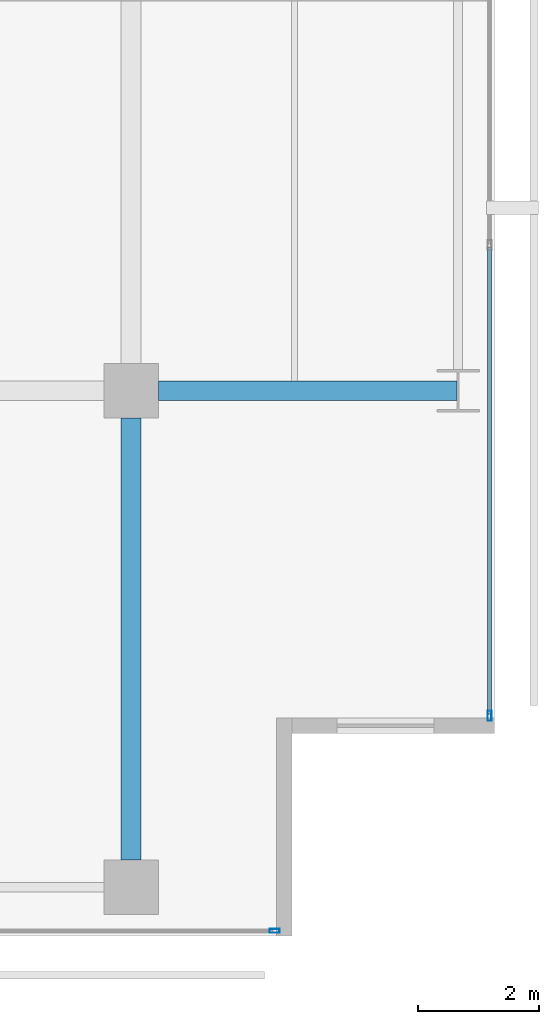
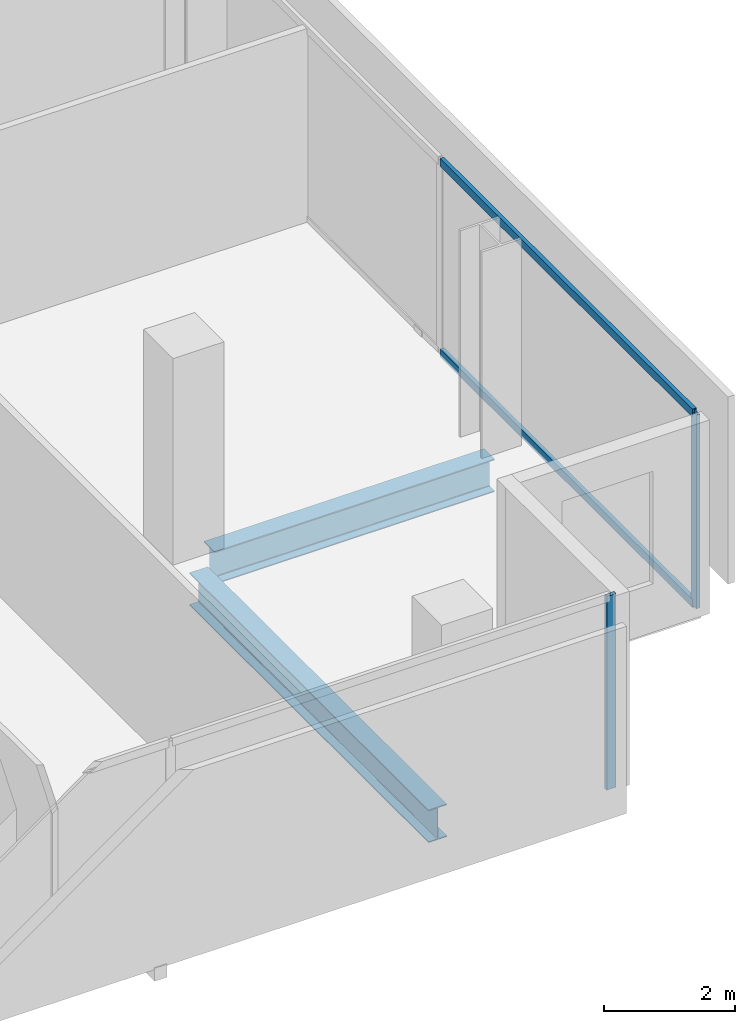
# One storey, part 16 of 40: 4 members, 2 beams, 2 elements without a shape of their own.
"""IFC4 building model written with IfcOpenShell, lengths in metres."""

from ifc_helpers import new_model, si_unit, direction, frame, origin, origin_2d, place, context, subcontext, project, spatial, hollow_rectangle, i_section, extrude, material, layer, layer_set, material_profile, profile_set, type_object, element, aggregate, save


model = new_model("IFC4")

# Units and contexts
model_context = context("Model", 3, precision=1e-05, world=origin(), true_north=direction((0.0, 1.0)))
body_context = subcontext(model_context, "Body", "Model", "MODEL_VIEW")
ifc_project = project(units=[si_unit("LENGTHUNIT", "METRE"), si_unit("AREAUNIT", "SQUARE_METRE"), si_unit("VOLUMEUNIT", "CUBIC_METRE"), si_unit("PLANEANGLEUNIT", "RADIAN"), si_unit("MASSUNIT", "GRAM", prefix="KILO")], contexts=[model_context])

# Site, building, storey
site_placement = place(None, origin())
site = spatial("IfcSite", under=ifc_project, at=site_placement, CompositionType="ELEMENT")
building_placement = place(site_placement, origin())
building = spatial("IfcBuilding", under=site, at=building_placement, Name="Maruvema Waterfront Hotel and Observation Tower", CompositionType="ELEMENT")
storey_placement = place(building_placement, frame((0.0, 0.0, 77.0)))
storey = spatial("IfcBuildingStorey", under=building, at=storey_placement, Name="L18", CompositionType="ELEMENT", Elevation=77.0)

# Curtain wall, members
ifc_material_1 = material(Name="Anodised bronze aluminium and solar-control low-E IGU", Category="aluminium")
ifc_layer = layer(ifc_material_1, 0.159912109375, Name="Zone 1 Bronze Inner Thermal Curtain Wall System CW-02")
ifc_layer_set = layer_set([ifc_layer], Name="Anodised bronze aluminium and solar-control low-E IGU")
curtain_wall_type = type_object("IfcCurtainWallType", Name="Zone 1 Bronze Inner Thermal Curtain Wall System CW-02", PredefinedType="USERDEFINED", material=ifc_layer_set)
curtain_wall_1_placement = place(storey_placement, origin())
curtain_wall_1 = element("IfcCurtainWall", 1, at=curtain_wall_1_placement, inside=storey, type_object=curtain_wall_type, Name="L18 Curtain Wall CW-L18-E", ObjectType="UNITISED CURTAIN WALL", PredefinedType="USERDEFINED")
ifc_material_2 = material(Name="Anodised architectural bronze aluminium", Category="aluminium")
ifc_material_profile_1 = material_profile(ifc_material_2, hollow_rectangle(XDim=0.070068359375, YDim=0.14990234375, WallThickness=0.00390625, at=origin_2d()), Name="ALU-T70x150")
ifc_profile_set_1 = profile_set([ifc_material_profile_1], Name="Anodised architectural bronze aluminium")
member_type_1 = type_object("IfcMemberType", Name="Curtain Wall Horizontal Transom ALU-T70x150", PredefinedType="USERDEFINED", material=ifc_profile_set_1)
member_1_placement = place(storey_placement, frame((64.719970703125, 3.659912109375, 0.030029296875), z_axis=(0.0, 1.0, 0.0), x_axis=(-1.0, 0.0, 0.0)))
member_1 = element("IfcMember", 2, at=member_1_placement, type_object=member_type_1, Name="CW-02 transom 1.1", ObjectType="TRANSOM", PredefinedType="USERDEFINED", context=body_context, shape_type="SweptSolid", body=[
    extrude(hollow_rectangle(XDim=0.070068359375, YDim=0.14990234375, WallThickness=0.00390625, at=origin_2d()), origin(), (0.0, 0.0, 1.0), 7.710205078125),
])
member_2_placement = place(storey_placement, frame((64.719970703125, 3.659912109375, 3.580078125), z_axis=(0.0, 1.0, 0.0), x_axis=(-1.0, 0.0, 0.0)))
member_2 = element("IfcMember", 3, at=member_2_placement, type_object=member_type_1, Name="CW-02 transom 1.2", ObjectType="TRANSOM", PredefinedType="USERDEFINED", context=body_context, shape_type="SweptSolid", body=[
    extrude(hollow_rectangle(XDim=0.070068359375, YDim=0.14990234375, WallThickness=0.00390625, at=origin_2d()), origin(), (0.0, 0.0, 1.0), 7.710205078125),
])

# Curtain wall, member
curtain_wall_2_placement = place(storey_placement, origin())
curtain_wall_2 = element("IfcCurtainWall", 4, at=curtain_wall_2_placement, inside=storey, type_object=curtain_wall_type, Name="L18 Curtain Wall CW-L18-S", ObjectType="UNITISED CURTAIN WALL", PredefinedType="USERDEFINED")
ifc_material_3 = material(Name="Anodised architectural bronze aluminium", Category="aluminium")
ifc_material_profile_2 = material_profile(ifc_material_3, hollow_rectangle(XDim=0.06494140625, YDim=0.1650390625, WallThickness=0.00390625, at=origin_2d()), Name="ALU-M65x165")
ifc_profile_set_2 = profile_set([ifc_material_profile_2], Name="Anodised architectural bronze aluminium")
member_type_2 = type_object("IfcMemberType", Name="Curtain Wall Primary Mullion ALU-M65x165", PredefinedType="MULLION", material=ifc_profile_set_2)
member_3_placement = place(storey_placement, frame((61.169921875, 0.080078125, 0.0), z_axis=(0.0, 0.0, 1.0), x_axis=(0.0, 1.0, 0.0)))
member_3 = element("IfcMember", 5, at=member_3_placement, type_object=member_type_2, Name="CW-02 mullion 7", PredefinedType="MULLION", context=body_context, shape_type="SweptSolid", body=[
    extrude(hollow_rectangle(XDim=0.06494140625, YDim=0.1650390625, WallThickness=0.00390625, at=origin_2d()), origin(), (0.0, 0.0, 1.0), 3.610107421875),
])
aggregate(curtain_wall_2, [member_3])

# Member
member_4_placement = place(storey_placement, frame((64.719970703125, 3.6298828125, 0.0), z_axis=(0.0, 0.0, 1.0), x_axis=(-1.0, 0.0, 0.0)))
member_4 = element("IfcMember", 6, at=member_4_placement, type_object=member_type_2, Name="CW-02 mullion 1", PredefinedType="MULLION", context=body_context, shape_type="SweptSolid", body=[
    extrude(hollow_rectangle(XDim=0.06494140625, YDim=0.1650390625, WallThickness=0.00390625, at=origin_2d()), origin(), (0.0, 0.0, 1.0), 3.610107421875),
])

aggregate(curtain_wall_1, [member_4, member_1, member_2])

# Beams
ifc_material_4 = material(Name="Steel ASTM A572 Grade 50", Category="steel")
ifc_material_profile_3 = material_profile(ifc_material_4, i_section(OverallWidth=0.323974609375, OverallDepth=0.611083984375, WebThickness=0.0126953125, FlangeThickness=0.01904296875, FilletRadius=0.01806640625, at=origin_2d()), Name="W610x155.0")
ifc_profile_set_3 = profile_set([ifc_material_profile_3], Name="Steel ASTM A572 Grade 50")
beam_type = type_object("IfcBeamType", Name="Primary Floor Girder W610x155.0", PredefinedType="BEAM", material=ifc_profile_set_3)
beam_1_placement = place(storey_placement, frame((59.25, 9.0, -0.54541015625), z_axis=(1.0, 0.0, 0.0), x_axis=(0.0, 1.0, 0.0)))
element("IfcBeam", 7, at=beam_1_placement, inside=storey, type_object=beam_type, Name="L18 Floor Girder EW-12", PredefinedType="BEAM", context=body_context, shape_type="SweptSolid", body=[
    extrude(i_section(OverallWidth=0.323974609375, OverallDepth=0.611083984375, WebThickness=0.0126953125, FlangeThickness=0.01904296875, FilletRadius=0.01806640625, at=origin_2d()), origin(), (0.0, 0.0, 1.0), 4.93603515625),
])
beam_2_placement = place(storey_placement, frame((58.800048828125, 1.25, -0.54541015625), z_axis=(0.0, 1.0, 0.0), x_axis=(-1.0, 0.0, 0.0)))
element("IfcBeam", 8, at=beam_2_placement, inside=storey, type_object=beam_type, Name="L18 Floor Girder NS-27", PredefinedType="BEAM", context=body_context, shape_type="SweptSolid", body=[
    extrude(i_section(OverallWidth=0.323974609375, OverallDepth=0.611083984375, WebThickness=0.0126953125, FlangeThickness=0.01904296875, FilletRadius=0.01806640625, at=origin_2d()), origin(), (0.0, 0.0, 1.0), 7.300048828125),
])

save(model, "model.ifc")
